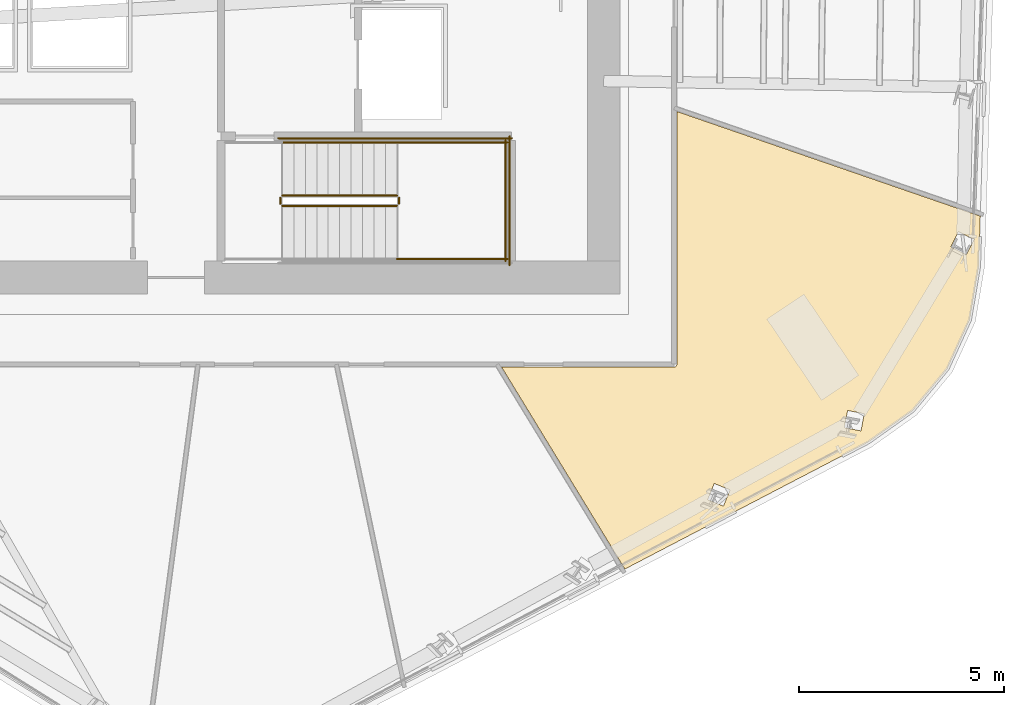
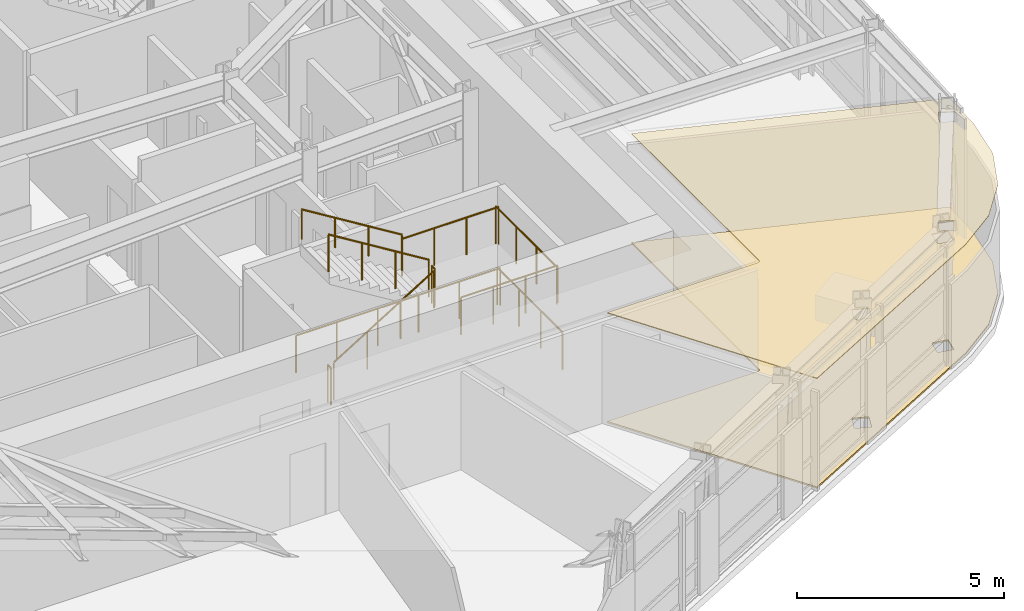
# One storey, part 10 of 14: 10 railings, 2 coverings.
"""IFC4 building model written with IfcOpenShell, lengths in metres."""

from ifc_helpers import new_model, si_unit, direction, frame, origin, origin_2d, place, context, subcontext, project, spatial, polyline, circle, outline, extrude, material, layer, layer_set, type_object, element, save


model = new_model("IFC4")

# Units and contexts
model_context = context("Model", 3, precision=1e-05, world=origin(), true_north=direction((0.0, 1.0)))
body_context = subcontext(model_context, "Body", "Model", "MODEL_VIEW")
ifc_project = project(units=[si_unit("LENGTHUNIT", "METRE"), si_unit("AREAUNIT", "SQUARE_METRE"), si_unit("VOLUMEUNIT", "CUBIC_METRE"), si_unit("PLANEANGLEUNIT", "RADIAN"), si_unit("MASSUNIT", "GRAM", prefix="KILO")], contexts=[model_context])

# Site, building, storey
site_placement = place(None, origin())
site = spatial("IfcSite", under=ifc_project, at=site_placement, CompositionType="ELEMENT")
building_placement = place(site_placement, origin())
building = spatial("IfcBuilding", under=site, at=building_placement, Name="Valkerne Bourse Tower", CompositionType="ELEMENT")
storey_placement = place(building_placement, frame((0.0, 0.0, 143.800048828125)))
storey = spatial("IfcBuildingStorey", under=building, at=storey_placement, Name="L36", CompositionType="ELEMENT", Elevation=143.800048828125)

# Coverings
ifc_material_1 = material(Name="Mineral Fiber Acoustic Ceiling Tile", Category="acoustic")
ifc_layer_1 = layer(ifc_material_1, 0.02490234375)
ifc_layer_set_1 = layer_set([ifc_layer_1], Name="Mineral Fiber Acoustic Ceiling Tile")
covering_type_1 = type_object("IfcCoveringType", Name="COV-CEIL-ACT", PredefinedType="CEILING", material=ifc_layer_set_1)
covering_1_placement = place(storey_placement, frame((0.0, 0.0, 3.22998046875)))
element("IfcCovering", 1, at=covering_1_placement, inside=storey, type_object=covering_type_1, Name="L36 Suspended Ceiling 08", PredefinedType="CEILING", context=body_context, shape_type="SweptSolid", body=[
    extrude(outline(polyline([(63.551025390625, 14.94775390625), (62.468017578125, 14.177978515625), (56.517578125, 11.076416015625), (53.50537109375, 16.010986328125), (57.720458984375, 16.010986328125), (57.75, 16.017822265625), (57.77587890625, 16.039306640625), (57.7890625, 16.079345703125), (57.7890625, 22.254150390625), (65.199951171875, 19.697998046875), (65.1630859375, 18.47412109375), (64.94140625, 17.164306640625), (64.39208984375, 15.964599609375), (63.551025390625, 14.94775390625)]), holes=[polyline([(58.926513671875, 12.6171875), (59.084716796875, 13.010009765625), (58.701171875, 13.165771484375), (58.698974609375, 13.163818359375), (58.540771484375, 12.77099609375), (58.924560546875, 12.615234375), (58.926513671875, 12.6171875)]), polyline([(62.3662109375, 14.8681640625), (61.960205078125, 14.948974609375), (61.958251953125, 14.94677734375), (61.876708984375, 14.53125), (62.282958984375, 14.4501953125), (62.28466796875, 14.452392578125), (62.3662109375, 14.8681640625)]), polyline([(65.04541015625, 19.131103515625), (64.664794921875, 19.3193359375), (64.481689453125, 18.94921875), (64.48046875, 18.946533203125), (64.861083984375, 18.75830078125), (65.044189453125, 19.128662109375), (65.04541015625, 19.131103515625)])]), origin(), (0.0, 0.0, 1.0), 0.02490234375),
])
ifc_material_2 = material(Name="Galvanised Painted Steel", Category="steel")
ifc_layer_2 = layer(ifc_material_2, 0.044921875)
ifc_layer_set_2 = layer_set([ifc_layer_2], Name="Galvanised Painted Steel")
covering_type_2 = type_object("IfcCoveringType", Name="COV-FLR-RAF", PredefinedType="FLOORING", material=ifc_layer_set_2)
covering_2_placement = place(storey_placement, origin())
element("IfcCovering", 2, at=covering_2_placement, inside=storey, type_object=covering_type_2, Name="L36 Floor Finish 08", PredefinedType="FLOORING", context=body_context, shape_type="SweptSolid", body=[
    extrude(outline(polyline([(63.551025390625, 14.94775390625), (62.468017578125, 14.177978515625), (56.517578125, 11.076416015625), (53.50537109375, 16.010986328125), (57.720458984375, 16.010986328125), (57.75, 16.017822265625), (57.77587890625, 16.039306640625), (57.7890625, 16.079345703125), (57.7890625, 22.254150390625), (65.199951171875, 19.697998046875), (65.1630859375, 18.47412109375), (64.94140625, 17.164306640625), (64.39208984375, 15.964599609375), (63.551025390625, 14.94775390625)]), holes=[polyline([(58.926513671875, 12.6171875), (59.084716796875, 13.010009765625), (58.701171875, 13.165771484375), (58.698974609375, 13.163818359375), (58.540771484375, 12.77099609375), (58.924560546875, 12.615234375), (58.926513671875, 12.6171875)]), polyline([(62.3662109375, 14.8681640625), (61.960205078125, 14.948974609375), (61.958251953125, 14.94677734375), (61.876708984375, 14.53125), (62.282958984375, 14.4501953125), (62.28466796875, 14.452392578125), (62.3662109375, 14.8681640625)]), polyline([(65.04541015625, 19.131103515625), (64.664794921875, 19.3193359375), (64.481689453125, 18.94921875), (64.48046875, 18.946533203125), (64.861083984375, 18.75830078125), (65.044189453125, 19.128662109375), (65.04541015625, 19.131103515625)])]), origin(), (0.0, 0.0, 1.0), 0.044921875),
])

# Railings
railing_type_1 = type_object("IfcRailingType", Name="RLG-ST-GUARD-1120", PredefinedType="GUARDRAIL", material=ifc_material_2)
railing_1_placement = place(storey_placement, frame((48.14990234375, 19.949951171875, 0.172607421875)))
element("IfcRailing", 3, at=railing_1_placement, inside=storey, type_object=railing_type_1, Name="L36 ST-1 stair guard 1", PredefinedType="GUARDRAIL", context=body_context, shape_type="SweptSolid", body=[
    extrude(circle(Radius=0.02392578125, at=origin_2d()), frame((0.0, 0.0, 1.09619140625), z_axis=(0.851089632645, 0.0, 0.525020415988), x_axis=(0.0, 1.0, 0.0)), (0.0, 0.0, 1.0), 3.2900390625),
    extrude(circle(Radius=0.02099609375, at=origin_2d()), origin(), (0.0, 0.0, 1.0), 1.072021484375),
    extrude(circle(Radius=0.02099609375, at=origin_2d()), frame((0.933349609375, 0.0, 0.57568359375)), (0.0, 0.0, 1.0), 1.072021484375),
    extrude(circle(Radius=0.02099609375, at=origin_2d()), frame((1.86669921875, 0.0, 1.151611328125)), (0.0, 0.0, 1.0), 1.072021484375),
    extrude(circle(Radius=0.02099609375, at=origin_2d()), frame((2.800048828125, 0.0, 1.727294921875)), (0.0, 0.0, 1.0), 1.072021484375),
])
railing_2_placement = place(storey_placement, frame((51.0, 20.0, 1.89990234375)))
element("IfcRailing", 4, at=railing_2_placement, inside=storey, type_object=railing_type_1, Name="L36 ST-1 stair guard 2", PredefinedType="GUARDRAIL", context=body_context, shape_type="SweptSolid", body=[
    extrude(circle(Radius=0.02392578125, at=origin_2d()), frame((0.0, 0.0, 1.09619140625), z_axis=(0.0, 1.0, 0.0), x_axis=(-1.0, 0.0, 0.0)), (0.0, 0.0, 1.0), 0.14990234375),
    extrude(circle(Radius=0.02099609375, at=origin_2d()), origin(), (0.0, 0.0, 1.0), 1.072021484375),
    extrude(circle(Radius=0.02099609375, at=origin_2d()), frame((0.0, 0.14990234375, 0.0)), (0.0, 0.0, 1.0), 1.072021484375),
])
for number, where, name in (
    (5, (50.949951171875, 18.64990234375, 1.89990234375), "L36 ST-1 stair guard 3"),
    (6, (50.949951171875, 21.5, 1.89990234375), "L36 ST-1 stair guard 4"),
):
    element("IfcRailing", number, at=place(storey_placement, frame(where)), inside=storey, type_object=railing_type_1, Name=name, PredefinedType="GUARDRAIL", context=body_context, shape_type="SweptSolid", body=[
        extrude(circle(Radius=0.02392578125, at=origin_2d()), frame((0.0, 0.0, 1.09619140625), z_axis=(1.0, 0.0, 0.0), x_axis=(0.0, 1.0, 0.0)), (0.0, 0.0, 1.0), 2.699951171875),
        extrude(circle(Radius=0.02099609375, at=origin_2d()), origin(), (0.0, 0.0, 1.0), 1.072021484375),
        extrude(circle(Radius=0.02099609375, at=origin_2d()), frame((0.89990234375, 0.0, 0.0)), (0.0, 0.0, 1.0), 1.072021484375),
        extrude(circle(Radius=0.02099609375, at=origin_2d()), frame((1.800048828125, 0.0, 0.0)), (0.0, 0.0, 1.0), 1.072021484375),
        extrude(circle(Radius=0.02099609375, at=origin_2d()), frame((2.699951171875, 0.0, 0.0)), (0.0, 0.0, 1.0), 1.072021484375),
    ])
railing_3_placement = place(storey_placement, frame((53.60009765625, 18.60009765625, 1.89990234375)))
element("IfcRailing", 7, at=railing_3_placement, inside=storey, type_object=railing_type_1, Name="L36 ST-1 stair guard 5", PredefinedType="GUARDRAIL", context=body_context, shape_type="SweptSolid", body=[
    extrude(circle(Radius=0.02392578125, at=origin_2d()), frame((0.0, 0.0, 1.09619140625), z_axis=(0.0, 1.0, 0.0), x_axis=(-1.0, 0.0, 0.0)), (0.0, 0.0, 1.0), 2.949951171875),
    extrude(circle(Radius=0.02099609375, at=origin_2d()), origin(), (0.0, 0.0, 1.0), 1.072021484375),
    extrude(circle(Radius=0.02099609375, at=origin_2d()), frame((0.0, 0.9833984375, 0.0)), (0.0, 0.0, 1.0), 1.072021484375),
    extrude(circle(Radius=0.02099609375, at=origin_2d()), frame((0.0, 1.966552734375, 0.0)), (0.0, 0.0, 1.0), 1.072021484375),
    extrude(circle(Radius=0.02099609375, at=origin_2d()), frame((0.0, 2.949951171875, 0.0)), (0.0, 0.0, 1.0), 1.072021484375),
])
railing_4_placement = place(storey_placement, frame((50.949951171875, 20.199951171875, 2.07275390625)))
element("IfcRailing", 8, at=railing_4_placement, inside=storey, type_object=railing_type_1, Name="L36 ST-1 stair guard 6", PredefinedType="GUARDRAIL", context=body_context, shape_type="SweptSolid", body=[
    extrude(circle(Radius=0.02392578125, at=origin_2d()), frame((0.0, 0.0, 1.09619140625), z_axis=(-0.851089632645, 0.0, 0.525020415988), x_axis=(0.0, -1.0, 0.0)), (0.0, 0.0, 1.0), 3.2900390625),
    extrude(circle(Radius=0.02099609375, at=origin_2d()), origin(), (0.0, 0.0, 1.0), 1.072021484375),
    extrude(circle(Radius=0.02099609375, at=origin_2d()), frame((-0.933349609375, 0.0, 0.57568359375)), (0.0, 0.0, 1.0), 1.072021484375),
    extrude(circle(Radius=0.02099609375, at=origin_2d()), frame((-1.86669921875, 0.0, 1.151611328125)), (0.0, 0.0, 1.0), 1.072021484375),
    extrude(circle(Radius=0.02099609375, at=origin_2d()), frame((-2.800048828125, 0.0, 1.727294921875)), (0.0, 0.0, 1.0), 1.072021484375),
])
railing_5_placement = place(storey_placement, frame((48.10009765625, 20.0, 0.0)))
element("IfcRailing", 9, at=railing_5_placement, inside=storey, type_object=railing_type_1, Name="L36 ST-1 stair guard 7", PredefinedType="GUARDRAIL", context=body_context, shape_type="SweptSolid", body=[
    extrude(circle(Radius=0.02392578125, at=origin_2d()), frame((0.0, 0.0, 1.09619140625), z_axis=(0.0, 1.0, 0.0), x_axis=(-1.0, 0.0, 0.0)), (0.0, 0.0, 1.0), 0.14990234375),
    extrude(circle(Radius=0.02099609375, at=origin_2d()), origin(), (0.0, 0.0, 1.0), 1.072021484375),
    extrude(circle(Radius=0.02099609375, at=origin_2d()), frame((0.0, 0.14990234375, 0.0)), (0.0, 0.0, 1.0), 1.072021484375),
])
railing_6_placement = place(storey_placement, frame((48.050048828125, 21.60009765625, 0.0)))
element("IfcRailing", 10, at=railing_6_placement, inside=storey, type_object=railing_type_1, Name="L36 ST-1 stair guard 11", PredefinedType="GUARDRAIL", context=body_context, shape_type="SweptSolid", body=[
    extrude(circle(Radius=0.02392578125, at=origin_2d()), frame((0.0, 0.0, 1.09619140625), z_axis=(1.0, 0.0, 0.0), x_axis=(0.0, 1.0, 0.0)), (0.0, 0.0, 1.0), 5.699951171875),
    extrude(circle(Radius=0.02099609375, at=origin_2d()), origin(), (0.0, 0.0, 1.0), 1.072021484375),
    extrude(circle(Radius=0.02099609375, at=origin_2d()), frame((1.139892578125, 0.0, 0.0)), (0.0, 0.0, 1.0), 1.072021484375),
    extrude(circle(Radius=0.02099609375, at=origin_2d()), frame((2.280029296875, 0.0, 0.0)), (0.0, 0.0, 1.0), 1.072021484375),
    extrude(circle(Radius=0.02099609375, at=origin_2d()), frame((3.419921875, 0.0, 0.0)), (0.0, 0.0, 1.0), 1.072021484375),
    extrude(circle(Radius=0.02099609375, at=origin_2d()), frame((4.56005859375, 0.0, 0.0)), (0.0, 0.0, 1.0), 1.072021484375),
    extrude(circle(Radius=0.02099609375, at=origin_2d()), frame((5.699951171875, 0.0, 0.0)), (0.0, 0.0, 1.0), 1.072021484375),
])
railing_7_placement = place(storey_placement, frame((53.699951171875, 18.5, 0.0)))
element("IfcRailing", 11, at=railing_7_placement, inside=storey, type_object=railing_type_1, Name="L36 ST-1 stair guard 12", PredefinedType="GUARDRAIL", context=body_context, shape_type="SweptSolid", body=[
    extrude(circle(Radius=0.02392578125, at=origin_2d()), frame((0.0, 0.0, 1.09619140625), z_axis=(0.0, 1.0, 0.0), x_axis=(-1.0, 0.0, 0.0)), (0.0, 0.0, 1.0), 3.14990234375),
    extrude(circle(Radius=0.02099609375, at=origin_2d()), origin(), (0.0, 0.0, 1.0), 1.072021484375),
    extrude(circle(Radius=0.02099609375, at=origin_2d()), frame((0.0, 1.050048828125, 0.0)), (0.0, 0.0, 1.0), 1.072021484375),
    extrude(circle(Radius=0.02099609375, at=origin_2d()), frame((0.0, 2.099853515625, 0.0)), (0.0, 0.0, 1.0), 1.072021484375),
    extrude(circle(Radius=0.02099609375, at=origin_2d()), frame((0.0, 3.14990234375, 0.0)), (0.0, 0.0, 1.0), 1.072021484375),
])
ifc_material_3 = material(Name="Stainless Steel AISI 316", Category="steel")
railing_type_2 = type_object("IfcRailingType", Name="RLG-ST-HANDRAIL-900", PredefinedType="HANDRAIL", material=ifc_material_3)
railing_8_placement = place(storey_placement, frame((50.949951171875, 21.5, 2.245361328125)))
element("IfcRailing", 12, at=railing_8_placement, inside=storey, type_object=railing_type_2, Name="L36 ST-1 stair handrail 2", PredefinedType="HANDRAIL", context=body_context, shape_type="SweptSolid", body=[
    extrude(circle(Radius=0.02392578125, at=origin_2d()), frame((0.0, 0.0, 0.8759765625), z_axis=(-0.851089632645, 0.0, 0.525020415988), x_axis=(0.0, -1.0, 0.0)), (0.0, 0.0, 1.0), 3.2900390625),
    extrude(circle(Radius=0.02099609375, at=origin_2d()), origin(), (0.0, 0.0, 1.0), 0.851806640625),
    extrude(circle(Radius=0.02099609375, at=origin_2d()), frame((-0.933349609375, 0.0, 0.57568359375)), (0.0, 0.0, 1.0), 0.851806640625),
    extrude(circle(Radius=0.02099609375, at=origin_2d()), frame((-1.86669921875, 0.0, 1.151611328125)), (0.0, 0.0, 1.0), 0.851806640625),
    extrude(circle(Radius=0.02099609375, at=origin_2d()), frame((-2.800048828125, 0.0, 1.727294921875)), (0.0, 0.0, 1.0), 0.851806640625),
])

save(model, "model.ifc")
